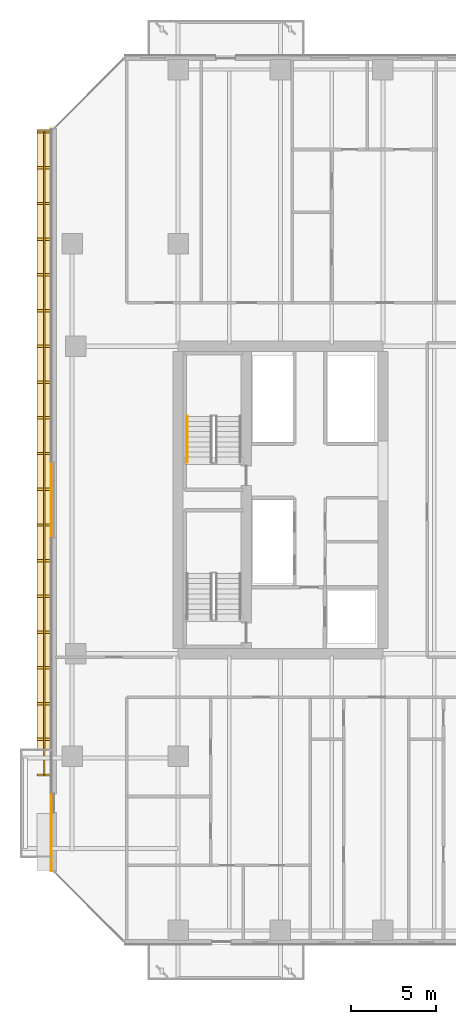
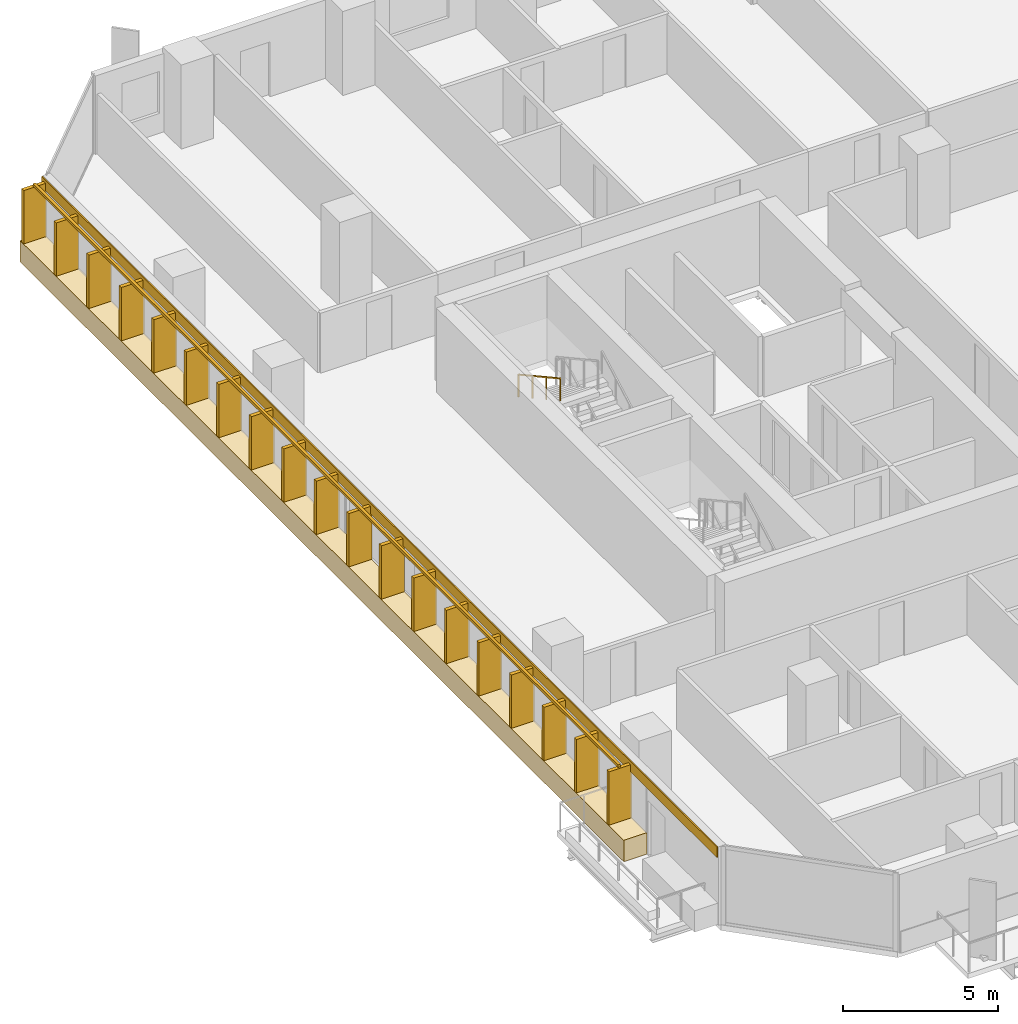
# One storey, part 26 of 33: 2 coverings, 2 railings.
"""IFC4 building model written with IfcOpenShell, lengths in metres."""

from ifc_helpers import new_model, si_unit, direction, frame, origin, origin_2d, place, context, subcontext, project, spatial, rectangle, extrude, material, layer, layer_set, type_object, element, save


model = new_model("IFC4")

# Units and contexts
model_context = context("Model", 3, precision=1e-05, world=origin(), true_north=direction((0.0, 1.0)))
body_context = subcontext(model_context, "Body", "Model", "MODEL_VIEW")
ifc_project = project(units=[si_unit("LENGTHUNIT", "METRE"), si_unit("AREAUNIT", "SQUARE_METRE"), si_unit("VOLUMEUNIT", "CUBIC_METRE"), si_unit("PLANEANGLEUNIT", "RADIAN"), si_unit("MASSUNIT", "GRAM", prefix="KILO")], contexts=[model_context])

# Site, building, storey
site_placement = place(None, origin())
site = spatial("IfcSite", under=ifc_project, at=site_placement, CompositionType="ELEMENT")
building_placement = place(site_placement, origin())
building = spatial("IfcBuilding", under=site, at=building_placement, Name="Tanjung Sevakor Pilgrim Tower", CompositionType="ELEMENT")
storey_placement = place(building_placement, frame((0.0, 0.0, 35.639892578125)))
storey = spatial("IfcBuildingStorey", under=building, at=storey_placement, Name="L09", CompositionType="ELEMENT", Elevation=35.639892578125)

# Coverings
ifc_material_1 = material(Name="Reconstructed Limestone Cladding", Category="masonry")
ifc_layer = layer(ifc_material_1, 0.044921875)
ifc_layer_set = layer_set([ifc_layer], Name="COV-CLAD-LIMESTONE")
covering_type = type_object("IfcCoveringType", Name="COV-CLAD-LIMESTONE", PredefinedType="CLADDING", material=ifc_layer_set)
covering_1_placement = place(storey_placement, frame((16.169921875, 35.881103515625, 0.01025390625), z_axis=(0.0, 0.0, 1.0), x_axis=(0.0, -1.0, 0.0)))
element("IfcCovering", 1, at=covering_1_placement, inside=storey, type_object=covering_type, Name="L09 Warm Limestone Sill Spandrel EW-L09-MAIN-15-1", PredefinedType="CLADDING", context=body_context, shape_type="SweptSolid", body=[
    extrude(rectangle(XDim=38.842041015625, YDim=0.860107421875, at=origin_2d()), origin(), (0.0, 0.0, 1.0), 0.840087890625),
])
covering_2_placement = place(storey_placement, frame((16.577392578125, 33.60009765625, 2.66015625), z_axis=(0.0, 0.0, 1.0), x_axis=(0.0, -1.0, 0.0)))
element("IfcCovering", 2, at=covering_2_placement, inside=storey, type_object=covering_type, Name="L09 Warm Limestone Cornice Spandrel EW-L09-MAIN-15", PredefinedType="CLADDING", context=body_context, shape_type="SweptSolid", body=[
    extrude(rectangle(XDim=43.444091796875, YDim=0.044921875, at=origin_2d()), origin(), (0.0, 0.0, 1.0), 0.409912109375),
])

# Railings
ifc_material_2 = material(Name="Anodised Bronze Aluminium 6063-T6", Category="aluminium")
railing_type_1 = type_object("IfcRailingType", Name="RL-FIN-SCREEN", PredefinedType="BALUSTRADE", material=ifc_material_2)
railing_1_placement = place(storey_placement, frame((16.175048828125, 55.14208984375, 0.840087890625)))
element("IfcRailing", 3, at=railing_1_placement, inside=storey, type_object=railing_type_1, Name="L09 Vertical Bronze-Gold Solar Fin Screen FNEND-EW-L09-MAIN-15-1", PredefinedType="BALUSTRADE", context=body_context, shape_type="SweptSolid", body=[
    extrude(rectangle(XDim=0.105, YDim=0.105), frame((0.0, 0.0, 2.157470703125), z_axis=(0.0, -1.0, 0.0), x_axis=(1.0, 0.0, 0.0)), (0.0, 0.0, 1.0), 37.64208984375),
    extrude(rectangle(XDim=0.85, YDim=0.14), origin(), (0.0, 0.0, 1.0), 2.10498046875),
    extrude(rectangle(XDim=0.85, YDim=0.14), frame((0.0, -2.09130859375, 0.0)), (0.0, 0.0, 1.0), 2.10498046875),
    extrude(rectangle(XDim=0.85, YDim=0.14), frame((0.0, -4.182373046875, 0.0)), (0.0, 0.0, 1.0), 2.10498046875),
    extrude(rectangle(XDim=0.85, YDim=0.14), frame((0.0, -6.273681640625, 0.0)), (0.0, 0.0, 1.0), 2.10498046875),
    extrude(rectangle(XDim=0.85, YDim=0.14), frame((0.0, -8.364990234375, 0.0)), (0.0, 0.0, 1.0), 2.10498046875),
    extrude(rectangle(XDim=0.85, YDim=0.14), frame((0.0, -10.4560546875, 0.0)), (0.0, 0.0, 1.0), 2.10498046875),
    extrude(rectangle(XDim=0.85, YDim=0.14), frame((0.0, -12.54736328125, 0.0)), (0.0, 0.0, 1.0), 2.10498046875),
    extrude(rectangle(XDim=0.85, YDim=0.14), frame((0.0, -14.638671875, 0.0)), (0.0, 0.0, 1.0), 2.10498046875),
    extrude(rectangle(XDim=0.85, YDim=0.14), frame((0.0, -16.729736328125, 0.0)), (0.0, 0.0, 1.0), 2.10498046875),
    extrude(rectangle(XDim=0.85, YDim=0.14), frame((0.0, -18.821044921875, 0.0)), (0.0, 0.0, 1.0), 2.10498046875),
    extrude(rectangle(XDim=0.85, YDim=0.14), frame((0.0, -20.912353515625, 0.0)), (0.0, 0.0, 1.0), 2.10498046875),
    extrude(rectangle(XDim=0.85, YDim=0.14), frame((0.0, -23.00341796875, 0.0)), (0.0, 0.0, 1.0), 2.10498046875),
    extrude(rectangle(XDim=0.85, YDim=0.14), frame((0.0, -25.0947265625, 0.0)), (0.0, 0.0, 1.0), 2.10498046875),
    extrude(rectangle(XDim=0.85, YDim=0.14), frame((0.0, -27.18603515625, 0.0)), (0.0, 0.0, 1.0), 2.10498046875),
    extrude(rectangle(XDim=0.85, YDim=0.14), frame((0.0, -29.277099609375, 0.0)), (0.0, 0.0, 1.0), 2.10498046875),
    extrude(rectangle(XDim=0.85, YDim=0.14), frame((0.0, -31.368408203125, 0.0)), (0.0, 0.0, 1.0), 2.10498046875),
    extrude(rectangle(XDim=0.85, YDim=0.14), frame((0.0, -33.459716796875, 0.0)), (0.0, 0.0, 1.0), 2.10498046875),
    extrude(rectangle(XDim=0.85, YDim=0.14), frame((0.0, -35.55078125, 0.0)), (0.0, 0.0, 1.0), 2.10498046875),
    extrude(rectangle(XDim=0.85, YDim=0.14), frame((0.0, -37.64208984375, 0.0)), (0.0, 0.0, 1.0), 2.10498046875),
])
ifc_material_3 = material(Name="Steel S355J2", Category="steel")
railing_type_2 = type_object("IfcRailingType", Name="RL-STAIR-HAND", PredefinedType="HANDRAIL", material=ifc_material_3)
railing_2_placement = place(storey_placement, frame((24.550048828125, 38.5, 1.815185546875)))
element("IfcRailing", 4, at=railing_2_placement, inside=storey, type_object=railing_type_2, Name="L09 TS-W2 stair handrail 2", PredefinedType="HANDRAIL", context=body_context, shape_type="SweptSolid", body=[
    extrude(rectangle(XDim=0.0479, YDim=0.0479), frame((0.0, 0.0, 0.8759765625), z_axis=(0.0, -0.876230963923, 0.481891375584), x_axis=(1.0, 0.0, 0.0)), (0.0, 0.0, 1.0), 3.081298828125),
    extrude(rectangle(XDim=0.042, YDim=0.042), origin(), (0.0, 0.0, 1.0), 0.851806640625),
    extrude(rectangle(XDim=0.042, YDim=0.042), frame((0.0, -0.89990234375, 0.494873046875)), (0.0, 0.0, 1.0), 0.851806640625),
    extrude(rectangle(XDim=0.042, YDim=0.042), frame((0.0, -1.800048828125, 0.989990234375)), (0.0, 0.0, 1.0), 0.851806640625),
    extrude(rectangle(XDim=0.042, YDim=0.042), frame((0.0, -2.699951171875, 1.48486328125)), (0.0, 0.0, 1.0), 0.851806640625),
])

save(model, "model.ifc")
